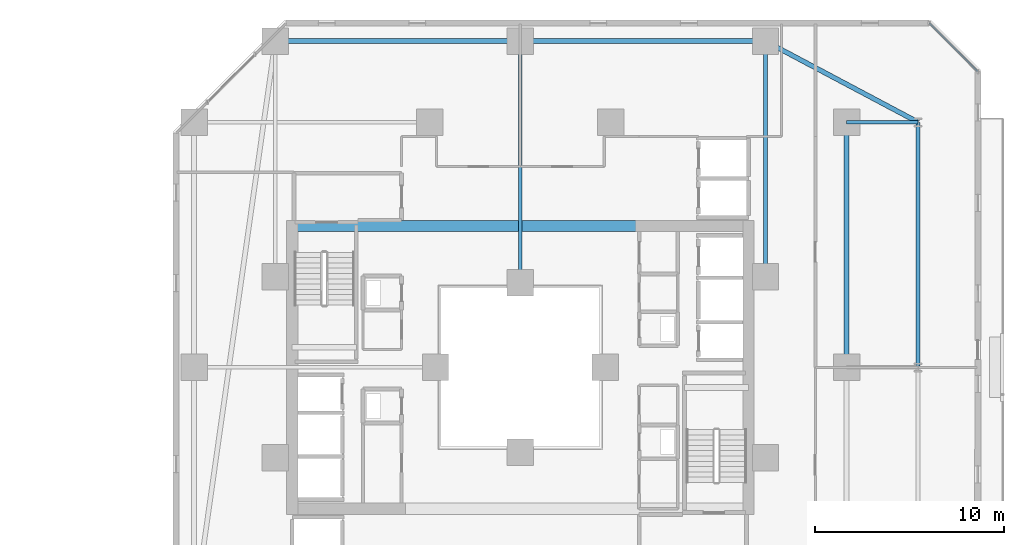
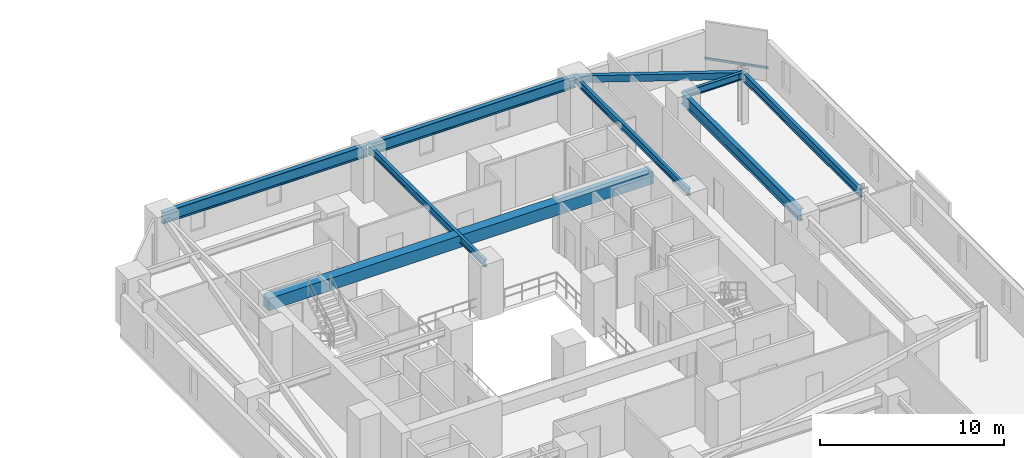
# One storey, part 15 of 33: 9 beams, 1 member, 1 element without a shape of its own.
"""IFC4 building model written with IfcOpenShell, lengths in metres."""

from ifc_helpers import new_model, si_unit, direction, frame, origin, origin_2d, place, context, subcontext, project, spatial, rectangle, hollow_rectangle, i_section, extrude, material, material_profile, profile_set, type_object, element, aggregate, save


model = new_model("IFC4")

# Units and contexts
model_context = context("Model", 3, precision=1e-05, world=origin(), true_north=direction((0.0, 1.0)))
body_context = subcontext(model_context, "Body", "Model", "MODEL_VIEW")
ifc_project = project(units=[si_unit("LENGTHUNIT", "METRE"), si_unit("AREAUNIT", "SQUARE_METRE"), si_unit("VOLUMEUNIT", "CUBIC_METRE"), si_unit("PLANEANGLEUNIT", "RADIAN"), si_unit("MASSUNIT", "GRAM", prefix="KILO")], contexts=[model_context])

# Site, building, storey
site_placement = place(None, origin())
site = spatial("IfcSite", under=ifc_project, at=site_placement, CompositionType="ELEMENT")
building_placement = place(site_placement, origin())
building = spatial("IfcBuilding", under=site, at=building_placement, Name="Thornwick Lancets Civic Towers", CompositionType="ELEMENT")
storey_placement = place(building_placement, frame((0.0, 0.0, 31.5)))
storey = spatial("IfcBuildingStorey", under=building, at=storey_placement, Name="L07", CompositionType="ELEMENT", Elevation=31.5)

# Beams
ifc_material_1 = material(Name="Concrete C60/75", Category="concrete")
ifc_material_profile_1 = material_profile(ifc_material_1, rectangle(XDim=0.60009765625, YDim=0.800048828125, at=origin_2d()), Name="RC 600x800")
ifc_profile_set_1 = profile_set([ifc_material_profile_1], Name="Concrete C60/75")
beam_type_1 = type_object("IfcBeamType", Name="BM_COUP_RC800", PredefinedType="BEAM", material=ifc_profile_set_1)
beam_1_placement = place(storey_placement, frame((76.39990234375, 34.5, 2.9599609375), z_axis=(1.0, 0.0, 0.0), x_axis=(0.0, 1.0, 0.0)))
element("IfcBeam", 1, at=beam_1_placement, inside=storey, type_object=beam_type_1, Name="CB-L07-B1", PredefinedType="BEAM", context=body_context, shape_type="SweptSolid", body=[
    extrude(rectangle(XDim=0.60009765625, YDim=0.800048828125, at=origin_2d()), origin(), (0.0, 0.0, 1.0), 24.2001953125),
])
ifc_material_2 = material(Name="Steel S355JR", Category="steel")
ifc_material_profile_2 = material_profile(ifc_material_2, i_section(OverallWidth=0.2119140625, OverallDepth=0.54443359375, WebThickness=0.0126953125, FlangeThickness=0.021240234375, FilletRadius=0.0126953125, at=origin_2d()), Name="UKB 533x210x122")
ifc_profile_set_2 = profile_set([ifc_material_profile_2], Name="Steel S355JR")
beam_type_2 = type_object("IfcBeamType", Name="BM_EDGE_533_122", PredefinedType="SPANDREL", material=ifc_profile_set_2)
beam_2_placement = place(storey_placement, frame((109.60009765625, 27.080078125, 3.087646484375), z_axis=(0.0, 1.0, 0.0), x_axis=(-1.0, 0.0, 0.0)))
element("IfcBeam", 2, at=beam_2_placement, inside=storey, type_object=beam_type_2, Name="BM-EDGE-L07-B-S0-2", PredefinedType="SPANDREL", context=body_context, shape_type="SweptSolid", body=[
    extrude(i_section(OverallWidth=0.2119140625, OverallDepth=0.54443359375, WebThickness=0.0126953125, FlangeThickness=0.021240234375, FilletRadius=0.0126953125, at=origin_2d()), origin(), (0.0, 0.0, 1.0), 12.919921875),
])
ifc_material_profile_3 = material_profile(ifc_material_2, i_section(OverallWidth=0.26806640625, OverallDepth=0.769775390625, WebThickness=0.015625, FlangeThickness=0.025390625, FilletRadius=0.0166015625, at=origin_2d()), Name="UKB 762x267x197")
ifc_profile_set_3 = profile_set([ifc_material_profile_3], Name="Steel S355JR")
beam_type_3 = type_object("IfcBeamType", Name="BM_GIRD_762_197", PredefinedType="BEAM", material=ifc_profile_set_3)
beam_3_placement = place(storey_placement, frame((105.800048828125, 27.080078125, 2.97509765625), z_axis=(0.0, 1.0, 0.0), x_axis=(-1.0, 0.0, 0.0)))
element("IfcBeam", 3, at=beam_3_placement, inside=storey, type_object=beam_type_3, Name="BM-SPINE-L07-B-1-2", PredefinedType="BEAM", context=body_context, shape_type="SweptSolid", body=[
    extrude(i_section(OverallWidth=0.26806640625, OverallDepth=0.769775390625, WebThickness=0.015625, FlangeThickness=0.025390625, FilletRadius=0.0166015625, at=origin_2d()), origin(), (0.0, 0.0, 1.0), 12.919921875),
])
beam_4_placement = place(storey_placement, frame((101.5, 44.300048828125, 2.97509765625), z_axis=(-1.0, 0.0, 0.0), x_axis=(0.0, -1.0, 0.0)))
element("IfcBeam", 4, at=beam_4_placement, inside=storey, type_object=beam_type_3, Name="BM-SPINE-L07-B-3-4", PredefinedType="BEAM", context=body_context, shape_type="SweptSolid", body=[
    extrude(i_section(OverallWidth=0.26806640625, OverallDepth=0.769775390625, WebThickness=0.015625, FlangeThickness=0.025390625, FilletRadius=0.0166015625, at=origin_2d()), origin(), (0.0, 0.0, 1.0), 13.0),
])
beam_5_placement = place(storey_placement, frame((88.419921875, 44.300048828125, 2.97509765625), z_axis=(-1.0, 0.0, 0.0), x_axis=(0.0, -1.0, 0.0)))
element("IfcBeam", 5, at=beam_5_placement, inside=storey, type_object=beam_type_3, Name="BM-SPINE-L07-B-4-5", PredefinedType="BEAM", context=body_context, shape_type="SweptSolid", body=[
    extrude(i_section(OverallWidth=0.26806640625, OverallDepth=0.769775390625, WebThickness=0.015625, FlangeThickness=0.025390625, FilletRadius=0.0166015625, at=origin_2d()), origin(), (0.0, 0.0, 1.0), 12.919921875),
])
ifc_material_profile_4 = material_profile(ifc_material_2, i_section(OverallWidth=0.19287109375, OverallDepth=0.46728515625, WebThickness=0.011474609375, FlangeThickness=0.01953125, FilletRadius=0.01025390625, at=origin_2d()), Name="UKB 457x191x98")
ifc_profile_set_4 = profile_set([ifc_material_profile_4], Name="Steel S355JR")
beam_type_4 = type_object("IfcBeamType", Name="BM_JOIST_457_98", PredefinedType="JOIST", material=ifc_profile_set_4)
beam_6_placement = place(storey_placement, frame((105.800048828125, 40.0, 3.12646484375), z_axis=(1.0, 0.0, 0.0), x_axis=(0.0, 1.0, 0.0)))
element("IfcBeam", 6, at=beam_6_placement, inside=storey, type_object=beam_type_4, Name="BM-RAD-L07-B03", PredefinedType="JOIST", context=body_context, shape_type="SweptSolid", body=[
    extrude(i_section(OverallWidth=0.19287109375, OverallDepth=0.46728515625, WebThickness=0.011474609375, FlangeThickness=0.01953125, FilletRadius=0.01025390625, at=origin_2d()), origin(), (0.0, 0.0, 1.0), 3.800048828125),
])
beam_7_placement = place(storey_placement, frame((101.5, 31.800048828125, 3.12646484375), z_axis=(0.0, 1.0, 0.0), x_axis=(-1.0, 0.0, 0.0)))
element("IfcBeam", 7, at=beam_7_placement, inside=storey, type_object=beam_type_4, Name="BM-RADIN-L07-B04", PredefinedType="JOIST", context=body_context, shape_type="SweptSolid", body=[
    extrude(i_section(OverallWidth=0.19287109375, OverallDepth=0.46728515625, WebThickness=0.011474609375, FlangeThickness=0.01953125, FilletRadius=0.01025390625, at=origin_2d()), origin(), (0.0, 0.0, 1.0), 12.5),
])
beam_8_placement = place(storey_placement, frame((88.5, 31.5, 3.12646484375), z_axis=(0.0, 1.0, 0.0), x_axis=(-1.0, 0.0, 0.0)))
element("IfcBeam", 8, at=beam_8_placement, inside=storey, type_object=beam_type_4, Name="BM-RADIN-L07-B05", PredefinedType="JOIST", context=body_context, shape_type="SweptSolid", body=[
    extrude(i_section(OverallWidth=0.19287109375, OverallDepth=0.46728515625, WebThickness=0.011474609375, FlangeThickness=0.01953125, FilletRadius=0.01025390625, at=origin_2d()), origin(), (0.0, 0.0, 1.0), 12.800048828125),
])
ifc_material_profile_5 = material_profile(ifc_material_2, hollow_rectangle(XDim=0.25, YDim=0.449951171875, WallThickness=0.01611328125, at=origin_2d()), Name="RHS 450x250x16")
ifc_profile_set_5 = profile_set([ifc_material_profile_5], Name="Steel S355JR")
beam_type_5 = type_object("IfcBeamType", Name="BM_RING_RHS450", PredefinedType="BEAM", material=ifc_profile_set_5)
beam_9_placement = place(storey_placement, frame((109.60009765625, 40.0, 3.135009765625), z_axis=(-0.883256999818, 0.468889189758, 0.0), x_axis=(-0.468889189758, -0.883256999818, 0.0)))
element("IfcBeam", 9, at=beam_9_placement, inside=storey, type_object=beam_type_5, Name="BM-CHAMF-L07-B-C0", PredefinedType="BEAM", context=body_context, shape_type="SweptSolid", body=[
    extrude(hollow_rectangle(XDim=0.25, YDim=0.449951171875, WallThickness=0.01611328125, at=origin_2d()), origin(), (0.0, 0.0, 1.0), 9.170654296875),
])

# Curtain wall, member
ifc_material_3 = material(Name="Low-zone chamfered-corner unitised glass curtain wall", Category="glass")
curtain_wall_type = type_object("IfcCurtainWallType", Name="CW_SYS_03", PredefinedType="NOTDEFINED", material=ifc_material_3)
curtain_wall_placement = place(storey_placement, origin())
curtain_wall = element("IfcCurtainWall", 10, at=curtain_wall_placement, inside=storey, type_object=curtain_wall_type, Name="L07 Curtain Wall CW-L07-B-E3", PredefinedType="NOTDEFINED")
ifc_material_4 = material(Name="Thermally broken bronze aluminium S355", Category="steel")
ifc_material_profile_6 = material_profile(ifc_material_4, hollow_rectangle(XDim=0.074951171875, YDim=0.14990234375, WallThickness=0.0048828125, at=origin_2d()), Name="RHS 150x75x5")
ifc_profile_set_6 = profile_set([ifc_material_profile_6], Name="Thermally broken bronze aluminium S355")
member_type = type_object("IfcMemberType", Name="CW_TRN_150", PredefinedType="USERDEFINED", material=ifc_profile_set_6)
member_placement = place(storey_placement, frame((112.750732421875, 42.6953125, 0.85009765625), z_axis=(-0.707106781187, 0.707106781187, 0.0), x_axis=(-0.707106781187, -0.707106781187, 0.0)))
member = element("IfcMember", 11, at=member_placement, type_object=member_type, Name="CW-L07-B-E3 Transom 0", ObjectType="TRANSOM", PredefinedType="USERDEFINED", context=body_context, shape_type="SweptSolid", body=[
    extrude(hollow_rectangle(XDim=0.074951171875, YDim=0.14990234375, WallThickness=0.0048828125, at=origin_2d()), origin(), (0.0, 0.0, 1.0), 3.614013671875),
])
aggregate(curtain_wall, [member])

save(model, "model.ifc")
